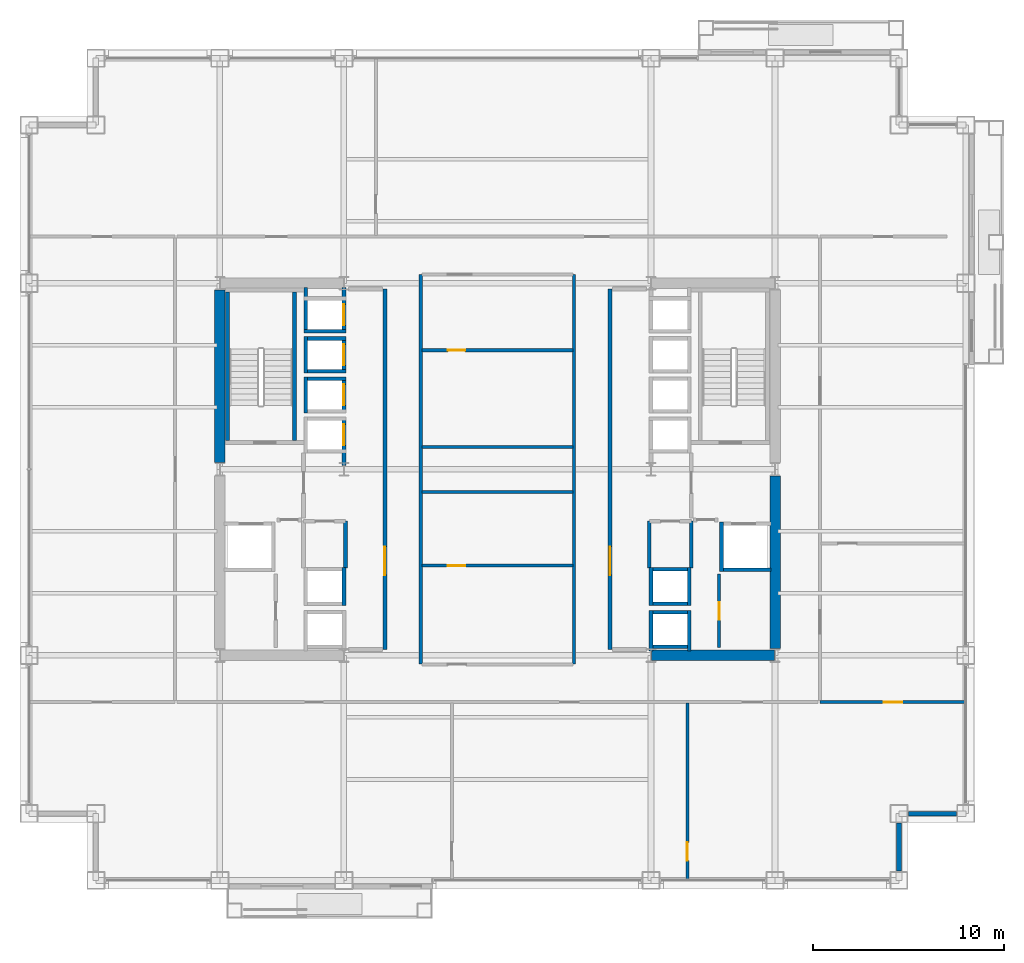
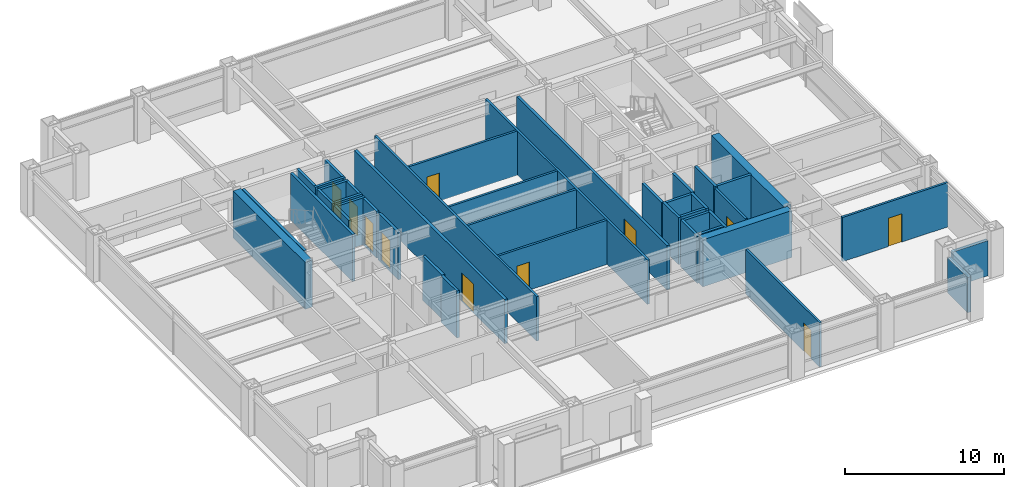
# One storey, part 26 of 31: 43 walls, 11 doors, 11 openings.
"""IFC4 building model written with IfcOpenShell, lengths in metres."""

from ifc_helpers import new_model, si_unit, direction, frame, frame_2d, origin, place, context, subcontext, project, spatial, rectangle, extrude, material, layer, layer_set, type_object, element, fill, save


model = new_model("IFC4")

# Units and contexts
model_context = context("Model", 3, precision=1e-05, world=origin(), true_north=direction((0.0, 1.0)))
body_context = subcontext(model_context, "Body", "Model", "MODEL_VIEW")
ifc_project = project(units=[si_unit("LENGTHUNIT", "METRE"), si_unit("AREAUNIT", "SQUARE_METRE"), si_unit("VOLUMEUNIT", "CUBIC_METRE"), si_unit("PLANEANGLEUNIT", "RADIAN"), si_unit("MASSUNIT", "GRAM", prefix="KILO")], contexts=[model_context])

# Site, building, storey
site_placement = place(None, origin())
site = spatial("IfcSite", under=ifc_project, at=site_placement, CompositionType="ELEMENT")
building_placement = place(site_placement, origin())
building = spatial("IfcBuilding", under=site, at=building_placement, Name="Brelmoor Portico Tower", CompositionType="ELEMENT")
storey_placement = place(building_placement, frame((0.0, 0.0, 31.199951171875)))
storey = spatial("IfcBuildingStorey", under=building, at=storey_placement, Name="L07", CompositionType="ELEMENT", Elevation=31.199951171875)

# Walls
ifc_material_1 = material(Name="Concrete C60", Category="concrete")
ifc_layer_1 = layer(ifc_material_1, 0.550048828125)
ifc_layer_set_1 = layer_set([ifc_layer_1], Name="Concrete C60")
wall_type_1 = type_object("IfcWallType", Name="WL-CORE-550", PredefinedType="SHEAR", material=ifc_layer_set_1)
wall_1_placement = place(storey_placement, frame((-14.550048828125, 0.35009765625, -0.199951171875), z_axis=(0.0, 0.0, 1.0), x_axis=(0.0, 1.0, 0.0)))
element("IfcWall", 1, at=wall_1_placement, inside=storey, type_object=wall_type_1, Name="L07 WC Outer North Shear Wall", PredefinedType="SHEAR", context=body_context, shape_type="SweptSolid", body=[
    extrude(rectangle(XDim=9.0498046875, YDim=0.550048828125, at=frame_2d((4.52490234375, 0.0))), origin(), (0.0, 0.0, 1.0), 3.60009765625),
])
wall_2_placement = place(storey_placement, frame((8.070068359375, -9.75, -0.199951171875), z_axis=(0.0, 0.0, 1.0), x_axis=(1.0, 0.0, 0.0)))
element("IfcWall", 2, at=wall_2_placement, inside=storey, type_object=wall_type_1, Name="L07 EC South Shear Wall", PredefinedType="SHEAR", context=body_context, shape_type="SweptSolid", body=[
    extrude(rectangle(XDim=6.4599609375, YDim=0.550048828125, at=frame_2d((3.22998046875, 0.0))), origin(), (0.0, 0.0, 1.0), 3.60009765625),
])
wall_3_placement = place(storey_placement, frame((14.550048828125, -9.39990234375, -0.199951171875), z_axis=(0.0, 0.0, 1.0), x_axis=(0.0, 1.0, 0.0)))
element("IfcWall", 3, at=wall_3_placement, inside=storey, type_object=wall_type_1, Name="L07 EC Outer South Shear Wall", PredefinedType="SHEAR", context=body_context, shape_type="SweptSolid", body=[
    extrude(rectangle(XDim=9.0498046875, YDim=0.550048828125, at=frame_2d((4.52490234375, 0.0))), origin(), (0.0, 0.0, 1.0), 3.60009765625),
])
ifc_material_2 = material(Name="Precast Concrete C40 Insulated Facade Wall", Category="concrete")
ifc_layer_2 = layer(ifc_material_2, 0.25)
ifc_layer_set_2 = layer_set([ifc_layer_2], Name="Precast Concrete C40 Insulated Facade Wall")
wall_type_2 = type_object("IfcWallType", Name="WL-EXT-250", PredefinedType="STANDARD", material=ifc_layer_set_2)
for number, where, z_axis, x_axis, name in (
    (4, (21.534912109375, -18.050048828125, 0.0), (0.0, 0.0, 1.0), (1.0, 0.0, 0.0), "L07 Corner Notch Facade Wall NSEH1"),
    (5, (21.050048828125, -21.06494140625, 0.0), (0.0, 0.0, 1.0), (0.0, 1.0, 0.0), "L07 Corner Notch Facade Wall NSEV1"),
):
    element("IfcWall", number, at=place(storey_placement, frame(where, z_axis=z_axis, x_axis=x_axis)), inside=storey, type_object=wall_type_2, Name=name, PredefinedType="STANDARD", context=body_context, shape_type="SweptSolid", body=[
        extrude(rectangle(XDim=2.530029296875, YDim=0.25, at=frame_2d((1.26513671875, 0.0))), origin(), (0.0, 0.0, 1.0), 2.699951171875),
    ])

# Wall, opening, door
ifc_material_3 = material(Name="Twin-Frame Acoustic Partition", Category="gypsum")
ifc_layer_3 = layer(ifc_material_3, 0.159912109375)
ifc_layer_set_3 = layer_set([ifc_layer_3], Name="Twin-Frame Acoustic Partition")
wall_type_3 = type_object("IfcWallType", Name="WL-PART-160", PredefinedType="PARTITIONING", material=ifc_layer_set_3)
wall_4_placement = place(storey_placement, frame((11.6201171875, -9.35009765625, 0.0), z_axis=(0.0, 0.0, 1.0), x_axis=(0.0, 1.0, 0.0)))
wall_4 = element("IfcWall", 6, at=wall_4_placement, inside=storey, type_object=wall_type_3, Name="L07 E Core Service Front Wall", PredefinedType="PARTITIONING", context=body_context, shape_type="SweptSolid", body=[
    extrude(rectangle(XDim=3.85009765625, YDim=0.159912109375, at=frame_2d((1.925048828125, 0.0))), origin(), (0.0, 0.0, 1.0), 3.400146484375),
])
opening_1_placement = place(wall_4_placement, frame((1.47509765625, 0.0, 0.0)))
opening_1 = element("IfcOpeningElement", 7, at=opening_1_placement, cuts=wall_4, Name="Opening D-IN1", PredefinedType="OPENING", context=body_context, shape_type="SweptSolid", body=[
    extrude(rectangle(XDim=0.89990234375, YDim=2.14990234375, at=frame_2d((0.449951171875, 1.074951171875))), frame((0.0, 0.08984375, 0.0), z_axis=(0.0, -1.0, 0.0), x_axis=(1.0, 0.0, 0.0)), (0.0, 0.0, 1.0), 0.179931640625),
])
ifc_material_4 = material(Name="Lacquered Timber Suite Door", Category="wood")
door_type_1 = type_object("IfcDoorType", Name="DR-INT-900", OperationType="NOTDEFINED", PredefinedType="DOOR", material=ifc_material_4)
door_1_placement = place(opening_1_placement, origin())
door_1 = element("IfcDoor", 8, at=door_1_placement, inside=storey, type_object=door_type_1, Name="D-0311 L07 E Male WC Door", OperationType="SINGLE_SWING_LEFT", OverallHeight=2.14990234375, OverallWidth=0.89990234375, PredefinedType="DOOR", context=body_context, shape_type="SweptSolid", body=[
    extrude(rectangle(XDim=0.89990234375, YDim=2.14990234375, at=frame_2d((0.449951171875, 1.074951171875))), frame((0.0, 0.02490234375, 0.0), z_axis=(0.0, -1.0, 0.0), x_axis=(1.0, 0.0, 0.0)), (0.0, 0.0, 1.0), 0.050048828125),
])
fill(opening_1, door_1)

# Walls
for number, where, z_axis, x_axis, name in (
    (9, (-4.02001953125, -10.199951171875, 0.0), (0.0, 0.0, 1.0), (0.0, 1.0, 0.0), "L07 Central Suite West Wall"),
    (10, (4.02001953125, -10.199951171875, 0.0), (0.0, 0.0, 1.0), (0.0, 1.0, 0.0), "L07 Central Suite East Wall"),
):
    element("IfcWall", number, at=place(storey_placement, frame(where, z_axis=z_axis, x_axis=x_axis)), inside=storey, type_object=wall_type_3, Name=name, PredefinedType="PARTITIONING", context=body_context, shape_type="SweptSolid", body=[
        extrude(rectangle(XDim=20.39990234375, YDim=0.159912109375, at=frame_2d((10.199951171875, 0.0))), origin(), (0.0, 0.0, 1.0), 3.400146484375),
    ])
for number, where, z_axis, x_axis, name in (
    (11, (-3.949951171875, 1.179931640625, 0.0), (0.0, 0.0, 1.0), (1.0, 0.0, 0.0), "L07 Central Meeting South Wall"),
    (12, (-3.949951171875, -1.179931640625, 0.0), (0.0, 0.0, 1.0), (1.0, 0.0, 0.0), "L07 Central Pantry North Wall"),
):
    element("IfcWall", number, at=place(storey_placement, frame(where, z_axis=z_axis, x_axis=x_axis)), inside=storey, type_object=wall_type_3, Name=name, PredefinedType="PARTITIONING", context=body_context, shape_type="SweptSolid", body=[
        extrude(rectangle(XDim=7.89990234375, YDim=0.159912109375, at=frame_2d((3.949951171875, 0.0))), origin(), (0.0, 0.0, 1.0), 3.400146484375),
    ])

# Wall, opening, door
wall_5_placement = place(storey_placement, frame((-3.949951171875, 6.239990234375, 0.0), z_axis=(0.0, 0.0, 1.0), x_axis=(1.0, 0.0, 0.0)))
wall_5 = element("IfcWall", 13, at=wall_5_placement, inside=storey, type_object=wall_type_3, Name="L07 Central Archive Divider", PredefinedType="PARTITIONING", context=body_context, shape_type="SweptSolid", body=[
    extrude(rectangle(XDim=7.89990234375, YDim=0.159912109375, at=frame_2d((3.949951171875, 0.0))), origin(), (0.0, 0.0, 1.0), 3.400146484375),
])
opening_2_placement = place(wall_5_placement, frame((1.35009765625, 0.0, 0.0)))
opening_2 = element("IfcOpeningElement", 14, at=opening_2_placement, cuts=wall_5, Name="Opening D-IN1", PredefinedType="OPENING", context=body_context, shape_type="SweptSolid", body=[
    extrude(rectangle(XDim=0.89990234375, YDim=2.14990234375, at=frame_2d((0.449951171875, 1.074951171875))), frame((0.0, 0.08984375, 0.0), z_axis=(0.0, -1.0, 0.0), x_axis=(1.0, 0.0, 0.0)), (0.0, 0.0, 1.0), 0.179931640625),
])
door_2_placement = place(opening_2_placement, origin())
door_2 = element("IfcDoor", 15, at=door_2_placement, inside=storey, type_object=door_type_1, Name="D-0308 L07 Central File Room Door", OperationType="SINGLE_SWING_RIGHT", OverallHeight=2.14990234375, OverallWidth=0.89990234375, PredefinedType="DOOR", context=body_context, shape_type="SweptSolid", body=[
    extrude(rectangle(XDim=0.89990234375, YDim=2.14990234375, at=frame_2d((0.449951171875, 1.074951171875))), frame((0.0, 0.02490234375, 0.0), z_axis=(0.0, -1.0, 0.0), x_axis=(1.0, 0.0, 0.0)), (0.0, 0.0, 1.0), 0.050048828125),
])
fill(opening_2, door_2)

wall_6_placement = place(storey_placement, frame((-3.949951171875, -5.050048828125, 0.0), z_axis=(0.0, 0.0, 1.0), x_axis=(1.0, 0.0, 0.0)))
wall_6 = element("IfcWall", 16, at=wall_6_placement, inside=storey, type_object=wall_type_3, Name="L07 Central Print Divider", PredefinedType="PARTITIONING", context=body_context, shape_type="SweptSolid", body=[
    extrude(rectangle(XDim=7.89990234375, YDim=0.159912109375, at=frame_2d((3.949951171875, 0.0))), origin(), (0.0, 0.0, 1.0), 3.400146484375),
])
opening_3_placement = place(wall_6_placement, frame((1.35009765625, 0.0, 0.0)))
opening_3 = element("IfcOpeningElement", 17, at=opening_3_placement, cuts=wall_6, Name="Opening D-IN1", PredefinedType="OPENING", context=body_context, shape_type="SweptSolid", body=[
    extrude(rectangle(XDim=0.89990234375, YDim=2.14990234375, at=frame_2d((0.449951171875, 1.074951171875))), frame((0.0, 0.08984375, 0.0), z_axis=(0.0, -1.0, 0.0), x_axis=(1.0, 0.0, 0.0)), (0.0, 0.0, 1.0), 0.179931640625),
])
door_3_placement = place(opening_3_placement, origin())
door_3 = element("IfcDoor", 18, at=door_3_placement, inside=storey, type_object=door_type_1, Name="D-0310 L07 Central Print Studio Door", OperationType="SINGLE_SWING_LEFT", OverallHeight=2.14990234375, OverallWidth=0.89990234375, PredefinedType="DOOR", context=body_context, shape_type="SweptSolid", body=[
    extrude(rectangle(XDim=0.89990234375, YDim=2.14990234375, at=frame_2d((0.449951171875, 1.074951171875))), frame((0.0, 0.02490234375, 0.0), z_axis=(0.0, -1.0, 0.0), x_axis=(1.0, 0.0, 0.0)), (0.0, 0.0, 1.0), 0.050048828125),
])
fill(opening_3, door_3)

wall_7_placement = place(storey_placement, frame((9.955078125, -21.56005859375, 0.0), z_axis=(0.0, 0.0, 1.0), x_axis=(0.0, 1.0, 0.0)))
wall_7 = element("IfcWall", 19, at=wall_7_placement, inside=storey, type_object=wall_type_3, Name="L07 South Suite Partition 2", PredefinedType="PARTITIONING", context=body_context, shape_type="SweptSolid", body=[
    extrude(rectangle(XDim=9.300048828125, YDim=0.159912109375, at=frame_2d((4.64990234375, 0.0))), origin(), (0.0, 0.0, 1.0), 3.400146484375),
])
opening_4_placement = place(wall_7_placement, frame((1.050048828125, 0.0, 0.0)))
opening_4 = element("IfcOpeningElement", 20, at=opening_4_placement, cuts=wall_7, Name="Opening D-IN2", PredefinedType="OPENING", context=body_context, shape_type="SweptSolid", body=[
    extrude(rectangle(XDim=0.9599609375, YDim=2.179931640625, at=frame_2d((0.47998046875, 1.08984375))), frame((0.0, 0.08984375, 0.0), z_axis=(0.0, -1.0, 0.0), x_axis=(1.0, 0.0, 0.0)), (0.0, 0.0, 1.0), 0.179931640625),
])
door_type_2 = type_object("IfcDoorType", Name="DR-INT-950", OperationType="NOTDEFINED", PredefinedType="DOOR", material=ifc_material_4)
door_4_placement = place(opening_4_placement, origin())
door_4 = element("IfcDoor", 21, at=door_4_placement, inside=storey, type_object=door_type_2, Name="D-0330 L07 South Suite Connecting Door 2", OperationType="SINGLE_SWING_RIGHT", OverallHeight=2.179931640625, OverallWidth=0.9599609375, PredefinedType="DOOR", context=body_context, shape_type="SweptSolid", body=[
    extrude(rectangle(XDim=0.9599609375, YDim=2.179931640625, at=frame_2d((0.47998046875, 1.08984375))), frame((0.0, 0.02490234375, 0.0), z_axis=(0.0, -1.0, 0.0), x_axis=(1.0, 0.0, 0.0)), (0.0, 0.0, 1.0), 0.050048828125),
])
fill(opening_4, door_4)

wall_8_placement = place(storey_placement, frame((16.89990234375, -12.199951171875, 0.0), z_axis=(0.0, 0.0, 1.0), x_axis=(1.0, 0.0, 0.0)))
wall_8 = element("IfcWall", 22, at=wall_8_placement, inside=storey, type_object=wall_type_3, Name="L07 South Outer Closure ER", PredefinedType="PARTITIONING", context=body_context, shape_type="SweptSolid", body=[
    extrude(rectangle(XDim=7.66015625, YDim=0.159912109375, at=frame_2d((3.830078125, 0.0))), origin(), (0.0, 0.0, 1.0), 3.400146484375),
])
opening_5_placement = place(wall_8_placement, frame((3.35009765625, 0.0, 0.0)))
opening_5 = element("IfcOpeningElement", 23, at=opening_5_placement, cuts=wall_8, Name="Opening D-IN2", PredefinedType="OPENING", context=body_context, shape_type="SweptSolid", body=[
    extrude(rectangle(XDim=0.9599609375, YDim=2.179931640625, at=frame_2d((0.47998046875, 1.08984375))), frame((0.0, 0.08984375, 0.0), z_axis=(0.0, -1.0, 0.0), x_axis=(1.0, 0.0, 0.0)), (0.0, 0.0, 1.0), 0.179931640625),
])
door_5_placement = place(opening_5_placement, origin())
door_5 = element("IfcDoor", 24, at=door_5_placement, inside=storey, type_object=door_type_2, Name="D-0333 L07 ER South Corner Suite Door", OperationType="SINGLE_SWING_LEFT", OverallHeight=2.179931640625, OverallWidth=0.9599609375, PredefinedType="DOOR", context=body_context, shape_type="SweptSolid", body=[
    extrude(rectangle(XDim=0.9599609375, YDim=2.179931640625, at=frame_2d((0.47998046875, 1.08984375))), frame((0.0, 0.02490234375, 0.0), z_axis=(0.0, -1.0, 0.0), x_axis=(1.0, 0.0, 0.0)), (0.0, 0.0, 1.0), 0.050048828125),
])
fill(opening_5, door_5)

ifc_material_5 = material(Name="Double-Stud Gypsum Fire Partition", Category="gypsum")
ifc_layer_4 = layer(ifc_material_5, 0.199951171875)
ifc_layer_set_4 = layer_set([ifc_layer_4], Name="Double-Stud Gypsum Fire Partition")
wall_type_4 = type_object("IfcWallType", Name="WL-PART-200", PredefinedType="PARTITIONING", material=ifc_layer_set_4)
wall_9_placement = place(storey_placement, frame((-5.89990234375, -9.449951171875, 0.0), z_axis=(0.0, 0.0, 1.0), x_axis=(0.0, 1.0, 0.0)))
wall_9 = element("IfcWall", 25, at=wall_9_placement, inside=storey, type_object=wall_type_4, Name="L07 W Core Lobby Compartment Wall", PredefinedType="PARTITIONING", context=body_context, shape_type="SweptSolid", body=[
    extrude(rectangle(XDim=18.89990234375, YDim=0.199951171875, at=frame_2d((9.449951171875, 0.0))), origin(), (0.0, 0.0, 1.0), 3.400146484375),
])
opening_6_placement = place(wall_9_placement, frame((3.89990234375, 0.0, 0.0)))
opening_6 = element("IfcOpeningElement", 26, at=opening_6_placement, cuts=wall_9, Name="Opening D-LB1", PredefinedType="OPENING", context=body_context, shape_type="SweptSolid", body=[
    extrude(rectangle(XDim=1.5, YDim=2.199951171875, at=frame_2d((0.75, 1.10009765625))), frame((0.0, 0.10986328125, 0.0), z_axis=(0.0, -1.0, 0.0), x_axis=(1.0, 0.0, 0.0)), (0.0, 0.0, 1.0), 0.219970703125),
])
ifc_material_6 = material(Name="Double-Leaf Glazed Steel Fire Door", Category="steel")
door_type_3 = type_object("IfcDoorType", Name="DR-LOBBY-1500", OperationType="NOTDEFINED", PredefinedType="DOOR", material=ifc_material_6)
door_6_placement = place(opening_6_placement, origin())
door_6 = element("IfcDoor", 27, at=door_6_placement, inside=storey, type_object=door_type_3, Name="D-0320 L07 W Lift Lobby Main Door", OperationType="DOUBLE_DOOR_SINGLE_SWING", OverallHeight=2.199951171875, OverallWidth=1.5, PredefinedType="DOOR", context=body_context, shape_type="SweptSolid", body=[
    extrude(rectangle(XDim=1.5, YDim=2.199951171875, at=frame_2d((0.75, 1.10009765625))), frame((0.0, 0.02490234375, 0.0), z_axis=(0.0, -1.0, 0.0), x_axis=(1.0, 0.0, 0.0)), (0.0, 0.0, 1.0), 0.050048828125),
])
fill(opening_6, door_6)

# Wall
wall_10_placement = place(storey_placement, frame((-7.9599609375, -5.159912109375, 0.0), z_axis=(0.0, 0.0, 1.0), x_axis=(0.0, 1.0, 0.0)))
element("IfcWall", 28, at=wall_10_placement, inside=storey, type_object=wall_type_4, Name="L07 W Electrical Switchgear Closet Inner Wall", PredefinedType="PARTITIONING", context=body_context, shape_type="SweptSolid", body=[
    extrude(rectangle(XDim=2.43994140625, YDim=0.199951171875, at=frame_2d((1.219970703125, 0.0))), origin(), (0.0, 0.0, 1.0), 3.400146484375),
])

# Wall, opening, door
wall_11_placement = place(storey_placement, frame((5.89990234375, -9.449951171875, 0.0), z_axis=(0.0, 0.0, 1.0), x_axis=(0.0, 1.0, 0.0)))
wall_11 = element("IfcWall", 29, at=wall_11_placement, inside=storey, type_object=wall_type_4, Name="L07 E Core Lobby Compartment Wall", PredefinedType="PARTITIONING", context=body_context, shape_type="SweptSolid", body=[
    extrude(rectangle(XDim=18.89990234375, YDim=0.199951171875, at=frame_2d((9.449951171875, 0.0))), origin(), (0.0, 0.0, 1.0), 3.400146484375),
])
opening_7_placement = place(wall_11_placement, frame((3.89990234375, 0.0, 0.0)))
opening_7 = element("IfcOpeningElement", 30, at=opening_7_placement, cuts=wall_11, Name="Opening D-LB1", PredefinedType="OPENING", context=body_context, shape_type="SweptSolid", body=[
    extrude(rectangle(XDim=1.5, YDim=2.199951171875, at=frame_2d((0.75, 1.10009765625))), frame((0.0, 0.10986328125, 0.0), z_axis=(0.0, -1.0, 0.0), x_axis=(1.0, 0.0, 0.0)), (0.0, 0.0, 1.0), 0.219970703125),
])
door_7_placement = place(opening_7_placement, origin())
door_7 = element("IfcDoor", 31, at=door_7_placement, inside=storey, type_object=door_type_3, Name="D-0319 L07 E Lift Lobby Main Door", OperationType="DOUBLE_DOOR_SINGLE_SWING", OverallHeight=2.199951171875, OverallWidth=1.5, PredefinedType="DOOR", context=body_context, shape_type="SweptSolid", body=[
    extrude(rectangle(XDim=1.5, YDim=2.199951171875, at=frame_2d((0.75, 1.10009765625))), frame((0.0, 0.02490234375, 0.0), z_axis=(0.0, -1.0, 0.0), x_axis=(1.0, 0.0, 0.0)), (0.0, 0.0, 1.0), 0.050048828125),
])
fill(opening_7, door_7)

# Walls
for number, where, z_axis, x_axis, name in (
    (32, (7.9599609375, -5.159912109375, 0.0), (0.0, 0.0, 1.0), (0.0, 1.0, 0.0), "L07 E Electrical Switchgear Closet Inner Wall"),
    (33, (10.159912109375, -5.159912109375, 0.0), (0.0, 0.0, 1.0), (0.0, 1.0, 0.0), "L07 E Electrical Switchgear Closet Outer Wall"),
):
    element("IfcWall", number, at=place(storey_placement, frame(where, z_axis=z_axis, x_axis=x_axis)), inside=storey, type_object=wall_type_4, Name=name, PredefinedType="PARTITIONING", context=body_context, shape_type="SweptSolid", body=[
        extrude(rectangle(XDim=2.43994140625, YDim=0.199951171875, at=frame_2d((1.219970703125, 0.0))), origin(), (0.0, 0.0, 1.0), 3.400146484375),
    ])

# Wall, opening, door
ifc_material_7 = material(Name="Precast Concrete C40", Category="concrete")
ifc_layer_5 = layer(ifc_material_7, 0.18994140625)
ifc_layer_set_5 = layer_set([ifc_layer_5], Name="Precast Concrete C40")
wall_type_5 = type_object("IfcWallType", Name="WL-SHAFT-180", PredefinedType="SOLIDWALL", material=ifc_layer_set_5)
wall_12_placement = place(storey_placement, frame((-8.044921875, 0.2099609375, -0.199951171875), z_axis=(0.0, 0.0, 1.0), x_axis=(0.0, 1.0, 0.0)))
wall_12 = element("IfcWall", 34, at=wall_12_placement, inside=storey, type_object=wall_type_5, Name="L07 Lift PL1 Hoistway Front Wall", PredefinedType="SOLIDWALL", context=body_context, shape_type="SweptSolid", body=[
    extrude(rectangle(XDim=2.5400390625, YDim=0.18994140625, at=frame_2d((1.27001953125, 0.0))), origin(), (0.0, 0.0, 1.0), 3.60009765625),
])
opening_8_placement = place(wall_12_placement, frame((1.0400390625, 0.0, 0.199951171875)))
opening_8 = element("IfcOpeningElement", 35, at=opening_8_placement, cuts=wall_12, Name="Opening LD-01", PredefinedType="OPENING", context=body_context, shape_type="SweptSolid", body=[
    extrude(rectangle(XDim=1.10009765625, YDim=2.199951171875, at=frame_2d((0.550048828125, 1.10009765625))), frame((0.0, 0.10498046875, 0.0), z_axis=(0.0, -1.0, 0.0), x_axis=(1.0, 0.0, 0.0)), (0.0, 0.0, 1.0), 0.2099609375),
])
ifc_material_8 = material(Name="Brushed Stainless Steel Sliding Lift Door", Category="steel")
door_type_4 = type_object("IfcDoorType", Name="DR-LIFT-1100", OperationType="NOTDEFINED", PredefinedType="DOOR", material=ifc_material_8)
door_8_placement = place(opening_8_placement, origin())
door_8 = element("IfcDoor", 36, at=door_8_placement, inside=storey, type_object=door_type_4, Name="D-0344 L07 Lift PL1 Sliding Landing Door", OperationType="SLIDING_TO_LEFT", OverallHeight=2.199951171875, OverallWidth=1.10009765625, PredefinedType="DOOR", context=body_context, shape_type="SweptSolid", body=[
    extrude(rectangle(XDim=1.10009765625, YDim=2.199951171875, at=frame_2d((0.550048828125, 1.10009765625))), frame((0.0, 0.02490234375, 0.0), z_axis=(0.0, -1.0, 0.0), x_axis=(1.0, 0.0, 0.0)), (0.0, 0.0, 1.0), 0.050048828125),
])
fill(opening_8, door_8)

wall_13_placement = place(storey_placement, frame((-8.044921875, 2.949951171875, -0.199951171875), z_axis=(0.0, 0.0, 1.0), x_axis=(0.0, 1.0, 0.0)))
wall_13 = element("IfcWall", 37, at=wall_13_placement, inside=storey, type_object=wall_type_5, Name="L07 Lift PL2 Hoistway Front Wall", PredefinedType="SOLIDWALL", context=body_context, shape_type="SweptSolid", body=[
    extrude(rectangle(XDim=1.900146484375, YDim=0.18994140625, at=frame_2d((0.9501953125, 0.0))), origin(), (0.0, 0.0, 1.0), 3.60009765625),
])
opening_9_placement = place(wall_13_placement, frame((0.39990234375, 0.0, 0.199951171875)))
opening_9 = element("IfcOpeningElement", 38, at=opening_9_placement, cuts=wall_13, Name="Opening LD-01", PredefinedType="OPENING", context=body_context, shape_type="SweptSolid", body=[
    extrude(rectangle(XDim=1.10009765625, YDim=2.199951171875, at=frame_2d((0.550048828125, 1.10009765625))), frame((0.0, 0.10498046875, 0.0), z_axis=(0.0, -1.0, 0.0), x_axis=(1.0, 0.0, 0.0)), (0.0, 0.0, 1.0), 0.2099609375),
])
door_9_placement = place(opening_9_placement, origin())
door_9 = element("IfcDoor", 39, at=door_9_placement, inside=storey, type_object=door_type_4, Name="D-0345 L07 Lift PL2 Sliding Landing Door", OperationType="SLIDING_TO_LEFT", OverallHeight=2.199951171875, OverallWidth=1.10009765625, PredefinedType="DOOR", context=body_context, shape_type="SweptSolid", body=[
    extrude(rectangle(XDim=1.10009765625, YDim=2.199951171875, at=frame_2d((0.550048828125, 1.10009765625))), frame((0.0, 0.02490234375, 0.0), z_axis=(0.0, -1.0, 0.0), x_axis=(1.0, 0.0, 0.0)), (0.0, 0.0, 1.0), 0.050048828125),
])
fill(opening_9, door_9)

# Walls
wall_14_placement = place(storey_placement, frame((-10.054931640625, 2.949951171875, -0.199951171875), z_axis=(0.0, 0.0, 1.0), x_axis=(0.0, 1.0, 0.0)))
element("IfcWall", 40, at=wall_14_placement, inside=storey, type_object=wall_type_5, Name="L07 Lift PL2 Hoistway Back Wall", PredefinedType="SOLIDWALL", context=body_context, shape_type="SweptSolid", body=[
    extrude(rectangle(XDim=1.900146484375, YDim=0.18994140625, at=frame_2d((0.9501953125, 0.0))), origin(), (0.0, 0.0, 1.0), 3.60009765625),
])
wall_15_placement = place(storey_placement, frame((-10.14990234375, 4.7548828125, -0.199951171875), z_axis=(0.0, 0.0, 1.0), x_axis=(1.0, 0.0, 0.0)))
element("IfcWall", 41, at=wall_15_placement, inside=storey, type_object=wall_type_5, Name="L07 Lift PL2 Hoistway North Wall", PredefinedType="SOLIDWALL", context=body_context, shape_type="SweptSolid", body=[
    extrude(rectangle(XDim=2.199951171875, YDim=0.18994140625, at=frame_2d((1.10009765625, 0.0))), origin(), (0.0, 0.0, 1.0), 3.60009765625),
])

# Wall, opening, door
wall_16_placement = place(storey_placement, frame((-8.044921875, 5.050048828125, -0.199951171875), z_axis=(0.0, 0.0, 1.0), x_axis=(0.0, 1.0, 0.0)))
wall_16 = element("IfcWall", 42, at=wall_16_placement, inside=storey, type_object=wall_type_5, Name="L07 Lift PL3 Hoistway Front Wall", PredefinedType="SOLIDWALL", context=body_context, shape_type="SweptSolid", body=[
    extrude(rectangle(XDim=1.89990234375, YDim=0.18994140625, at=frame_2d((0.949951171875, 0.0))), origin(), (0.0, 0.0, 1.0), 3.60009765625),
])
opening_10_placement = place(wall_16_placement, frame((0.39990234375, 0.0, 0.199951171875)))
opening_10 = element("IfcOpeningElement", 43, at=opening_10_placement, cuts=wall_16, Name="Opening LD-01", PredefinedType="OPENING", context=body_context, shape_type="SweptSolid", body=[
    extrude(rectangle(XDim=1.10009765625, YDim=2.199951171875, at=frame_2d((0.550048828125, 1.10009765625))), frame((0.0, 0.10498046875, 0.0), z_axis=(0.0, -1.0, 0.0), x_axis=(1.0, 0.0, 0.0)), (0.0, 0.0, 1.0), 0.2099609375),
])
door_10_placement = place(opening_10_placement, origin())
door_10 = element("IfcDoor", 44, at=door_10_placement, inside=storey, type_object=door_type_4, Name="D-0346 L07 Lift PL3 Sliding Landing Door", OperationType="SLIDING_TO_LEFT", OverallHeight=2.199951171875, OverallWidth=1.10009765625, PredefinedType="DOOR", context=body_context, shape_type="SweptSolid", body=[
    extrude(rectangle(XDim=1.10009765625, YDim=2.199951171875, at=frame_2d((0.550048828125, 1.10009765625))), frame((0.0, 0.02490234375, 0.0), z_axis=(0.0, -1.0, 0.0), x_axis=(1.0, 0.0, 0.0)), (0.0, 0.0, 1.0), 0.050048828125),
])
fill(opening_10, door_10)

# Walls
wall_17_placement = place(storey_placement, frame((-10.054931640625, 5.050048828125, -0.199951171875), z_axis=(0.0, 0.0, 1.0), x_axis=(0.0, 1.0, 0.0)))
element("IfcWall", 45, at=wall_17_placement, inside=storey, type_object=wall_type_5, Name="L07 Lift PL3 Hoistway Back Wall", PredefinedType="SOLIDWALL", context=body_context, shape_type="SweptSolid", body=[
    extrude(rectangle(XDim=1.89990234375, YDim=0.18994140625, at=frame_2d((0.949951171875, 0.0))), origin(), (0.0, 0.0, 1.0), 3.60009765625),
])
for number, where, z_axis, x_axis, name in (
    (46, (-10.14990234375, 6.85498046875, -0.199951171875), (0.0, 0.0, 1.0), (1.0, 0.0, 0.0), "L07 Lift PL3 Hoistway North Wall"),
    (47, (-10.14990234375, 5.14501953125, -0.199951171875), (0.0, 0.0, 1.0), (1.0, 0.0, 0.0), "L07 Lift PL3 Hoistway South Wall"),
):
    element("IfcWall", number, at=place(storey_placement, frame(where, z_axis=z_axis, x_axis=x_axis)), inside=storey, type_object=wall_type_5, Name=name, PredefinedType="SOLIDWALL", context=body_context, shape_type="SweptSolid", body=[
        extrude(rectangle(XDim=2.199951171875, YDim=0.18994140625, at=frame_2d((1.10009765625, 0.0))), origin(), (0.0, 0.0, 1.0), 3.60009765625),
    ])

# Wall, opening, door
wall_18_placement = place(storey_placement, frame((-8.044921875, 7.14990234375, -0.199951171875), z_axis=(0.0, 0.0, 1.0), x_axis=(0.0, 1.0, 0.0)))
wall_18 = element("IfcWall", 48, at=wall_18_placement, inside=storey, type_object=wall_type_5, Name="L07 Lift PL4 Hoistway Front Wall", PredefinedType="SOLIDWALL", context=body_context, shape_type="SweptSolid", body=[
    extrude(rectangle(XDim=2.3701171875, YDim=0.18994140625, at=frame_2d((1.18505859375, 0.0))), origin(), (0.0, 0.0, 1.0), 3.60009765625),
])
opening_11_placement = place(wall_18_placement, frame((0.39990234375, 0.0, 0.199951171875)))
opening_11 = element("IfcOpeningElement", 49, at=opening_11_placement, cuts=wall_18, Name="Opening LD-01", PredefinedType="OPENING", context=body_context, shape_type="SweptSolid", body=[
    extrude(rectangle(XDim=1.10009765625, YDim=2.199951171875, at=frame_2d((0.550048828125, 1.10009765625))), frame((0.0, 0.10498046875, 0.0), z_axis=(0.0, -1.0, 0.0), x_axis=(1.0, 0.0, 0.0)), (0.0, 0.0, 1.0), 0.2099609375),
])
door_11_placement = place(opening_11_placement, origin())
door_11 = element("IfcDoor", 50, at=door_11_placement, inside=storey, type_object=door_type_4, Name="D-0347 L07 Lift PL4 Sliding Landing Door", OperationType="SLIDING_TO_LEFT", OverallHeight=2.199951171875, OverallWidth=1.10009765625, PredefinedType="DOOR", context=body_context, shape_type="SweptSolid", body=[
    extrude(rectangle(XDim=1.10009765625, YDim=2.199951171875, at=frame_2d((0.550048828125, 1.10009765625))), frame((0.0, 0.02490234375, 0.0), z_axis=(0.0, -1.0, 0.0), x_axis=(1.0, 0.0, 0.0)), (0.0, 0.0, 1.0), 0.050048828125),
])
fill(opening_11, door_11)

# Walls
wall_19_placement = place(storey_placement, frame((-10.054931640625, 7.14990234375, -0.199951171875), z_axis=(0.0, 0.0, 1.0), x_axis=(0.0, 1.0, 0.0)))
element("IfcWall", 51, at=wall_19_placement, inside=storey, type_object=wall_type_5, Name="L07 Lift PL4 Hoistway Back Wall", PredefinedType="SOLIDWALL", context=body_context, shape_type="SweptSolid", body=[
    extrude(rectangle(XDim=2.3701171875, YDim=0.18994140625, at=frame_2d((1.18505859375, 0.0))), origin(), (0.0, 0.0, 1.0), 3.60009765625),
])
wall_20_placement = place(storey_placement, frame((-10.14990234375, 7.2451171875, -0.199951171875), z_axis=(0.0, 0.0, 1.0), x_axis=(1.0, 0.0, 0.0)))
element("IfcWall", 52, at=wall_20_placement, inside=storey, type_object=wall_type_5, Name="L07 Lift PL4 Hoistway South Wall", PredefinedType="SOLIDWALL", context=body_context, shape_type="SweptSolid", body=[
    extrude(rectangle(XDim=2.199951171875, YDim=0.18994140625, at=frame_2d((1.10009765625, 0.0))), origin(), (0.0, 0.0, 1.0), 3.60009765625),
])
wall_21_placement = place(storey_placement, frame((-8.044921875, -7.14990234375, -0.199951171875), z_axis=(0.0, 0.0, 1.0), x_axis=(0.0, 1.0, 0.0)))
element("IfcWall", 53, at=wall_21_placement, inside=storey, type_object=wall_type_5, Name="L07 Lift PH2 Hoistway Front Wall", PredefinedType="SOLIDWALL", context=body_context, shape_type="SweptSolid", body=[
    extrude(rectangle(XDim=2.0, YDim=0.18994140625, at=frame_2d((1.0, 0.0))), origin(), (0.0, 0.0, 1.0), 3.60009765625),
])
for number, where, z_axis, x_axis, name in (
    (54, (8.044921875, -9.52001953125, -0.199951171875), (0.0, 0.0, 1.0), (0.0, 1.0, 0.0), "L07 Lift PH3 Hoistway Front Wall"),
    (55, (10.054931640625, -9.52001953125, -0.199951171875), (0.0, 0.0, 1.0), (0.0, 1.0, 0.0), "L07 Lift PH3 Hoistway Back Wall"),
):
    element("IfcWall", number, at=place(storey_placement, frame(where, z_axis=z_axis, x_axis=x_axis)), inside=storey, type_object=wall_type_5, Name=name, PredefinedType="SOLIDWALL", context=body_context, shape_type="SweptSolid", body=[
        extrude(rectangle(XDim=2.1201171875, YDim=0.18994140625, at=frame_2d((1.06005859375, 0.0))), origin(), (0.0, 0.0, 1.0), 3.60009765625),
    ])
for number, where, z_axis, x_axis, name in (
    (56, (7.949951171875, -7.4951171875, -0.199951171875), (0.0, 0.0, 1.0), (1.0, 0.0, 0.0), "L07 Lift PH3 Hoistway North Wall"),
    (57, (7.949951171875, -9.304931640625, -0.199951171875), (0.0, 0.0, 1.0), (1.0, 0.0, 0.0), "L07 Lift PH3 Hoistway South Wall"),
):
    element("IfcWall", number, at=place(storey_placement, frame(where, z_axis=z_axis, x_axis=x_axis)), inside=storey, type_object=wall_type_5, Name=name, PredefinedType="SOLIDWALL", context=body_context, shape_type="SweptSolid", body=[
        extrude(rectangle(XDim=2.199951171875, YDim=0.18994140625, at=frame_2d((1.10009765625, 0.0))), origin(), (0.0, 0.0, 1.0), 3.60009765625),
    ])
for number, where, z_axis, x_axis, name in (
    (58, (8.044921875, -7.14990234375, -0.199951171875), (0.0, 0.0, 1.0), (0.0, 1.0, 0.0), "L07 Lift PH4 Hoistway Front Wall"),
    (59, (10.054931640625, -7.14990234375, -0.199951171875), (0.0, 0.0, 1.0), (0.0, 1.0, 0.0), "L07 Lift PH4 Hoistway Back Wall"),
):
    element("IfcWall", number, at=place(storey_placement, frame(where, z_axis=z_axis, x_axis=x_axis)), inside=storey, type_object=wall_type_5, Name=name, PredefinedType="SOLIDWALL", context=body_context, shape_type="SweptSolid", body=[
        extrude(rectangle(XDim=2.0, YDim=0.18994140625, at=frame_2d((1.0, 0.0))), origin(), (0.0, 0.0, 1.0), 3.60009765625),
    ])
for number, where, z_axis, x_axis, name in (
    (60, (7.949951171875, -5.2451171875, -0.199951171875), (0.0, 0.0, 1.0), (1.0, 0.0, 0.0), "L07 Lift PH4 Hoistway North Wall"),
    (61, (7.949951171875, -7.054931640625, -0.199951171875), (0.0, 0.0, 1.0), (1.0, 0.0, 0.0), "L07 Lift PH4 Hoistway South Wall"),
):
    element("IfcWall", number, at=place(storey_placement, frame(where, z_axis=z_axis, x_axis=x_axis)), inside=storey, type_object=wall_type_5, Name=name, PredefinedType="SOLIDWALL", context=body_context, shape_type="SweptSolid", body=[
        extrude(rectangle(XDim=2.199951171875, YDim=0.18994140625, at=frame_2d((1.10009765625, 0.0))), origin(), (0.0, 0.0, 1.0), 3.60009765625),
    ])
wall_22_placement = place(storey_placement, frame((11.64990234375, -5.2548828125, -0.199951171875), z_axis=(0.0, 0.0, 1.0), x_axis=(1.0, 0.0, 0.0)))
element("IfcWall", 62, at=wall_22_placement, inside=storey, type_object=wall_type_5, Name="L07 Firefighting Lift FF2 South Wall", PredefinedType="SOLIDWALL", context=body_context, shape_type="SweptSolid", body=[
    extrude(rectangle(XDim=2.68017578125, YDim=0.18994140625, at=frame_2d((1.340087890625, 0.0))), origin(), (0.0, 0.0, 1.0), 3.60009765625),
])
wall_23_placement = place(storey_placement, frame((11.7451171875, -5.35009765625, -0.199951171875), z_axis=(0.0, 0.0, 1.0), x_axis=(0.0, 1.0, 0.0)))
element("IfcWall", 63, at=wall_23_placement, inside=storey, type_object=wall_type_5, Name="L07 Firefighting Lift FF2 Inner Wall", PredefinedType="SOLIDWALL", context=body_context, shape_type="SweptSolid", body=[
    extrude(rectangle(XDim=2.60009765625, YDim=0.18994140625, at=frame_2d((1.300048828125, 0.0))), origin(), (0.0, 0.0, 1.0), 3.60009765625),
])
ifc_material_9 = material(Name="Concrete C40", Category="concrete")
ifc_layer_6 = layer(ifc_material_9, 0.199951171875)
ifc_layer_set_6 = layer_set([ifc_layer_6], Name="Concrete C40")
wall_type_6 = type_object("IfcWallType", Name="WL-SHAFT-RC200", PredefinedType="SOLIDWALL", material=ifc_layer_set_6)
for number, where, z_axis, x_axis, name in (
    (64, (-14.14990234375, 1.5, -0.199951171875), (0.0, 0.0, 1.0), (0.0, 1.0, 0.0), "L07 ST-W Structural Stair Wall Outer"),
    (65, (-10.6298828125, 1.5, -0.199951171875), (0.0, 0.0, 1.0), (0.0, 1.0, 0.0), "L07 ST-W Structural Stair Wall Inner"),
):
    element("IfcWall", number, at=place(storey_placement, frame(where, z_axis=z_axis, x_axis=x_axis)), inside=storey, type_object=wall_type_6, Name=name, PredefinedType="SOLIDWALL", context=body_context, shape_type="SweptSolid", body=[
        extrude(rectangle(XDim=7.800048828125, YDim=0.199951171875, at=frame_2d((3.89990234375, 0.0))), origin(), (0.0, 0.0, 1.0), 3.60009765625),
    ])

save(model, "model.ifc")
